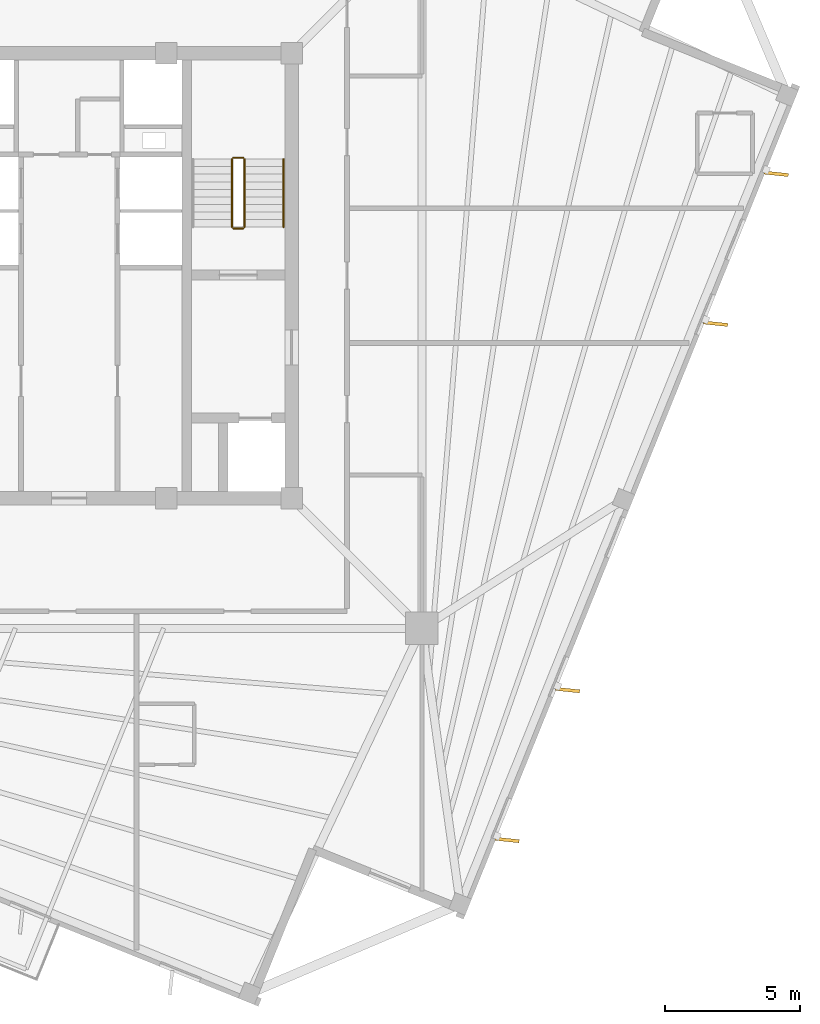
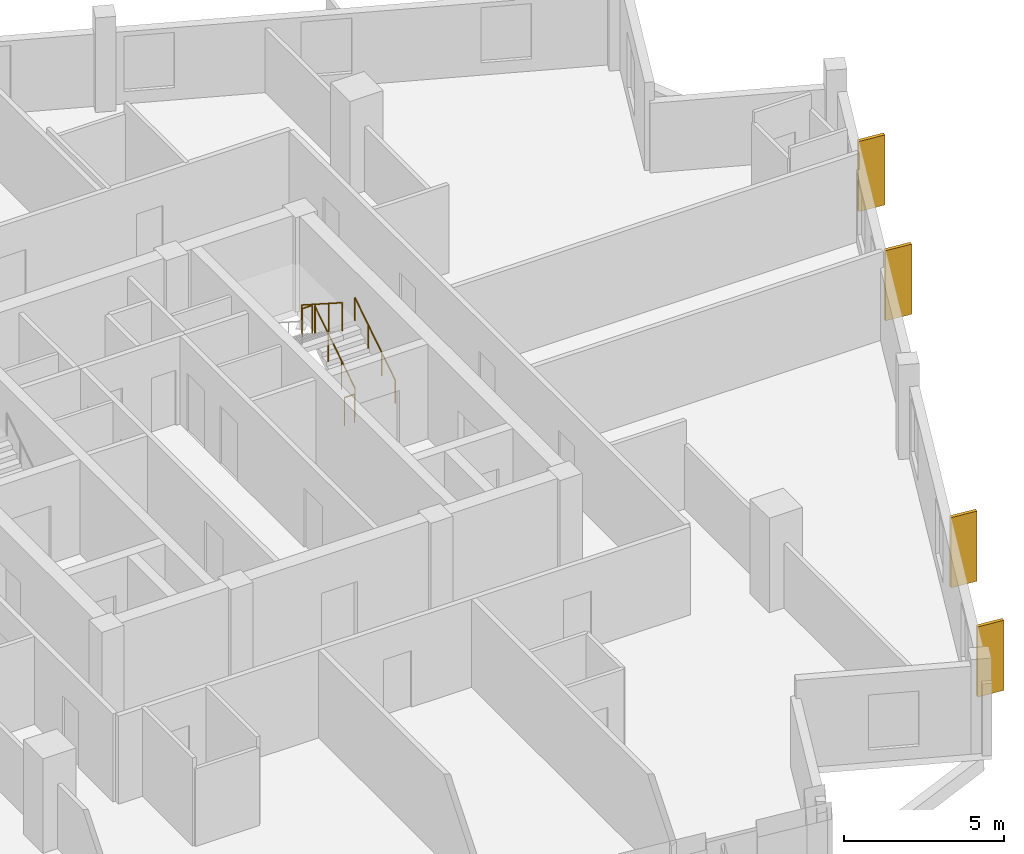
# One storey, part 7 of 8: 5 railings, 4 coverings.
"""IFC4 building model written with IfcOpenShell, lengths in metres."""

import ifcopenshell
import ifcopenshell.guid

model = None  # the IFC model being written
_history = None  # IfcOwnerHistory: only IFC2X3 demands one
_inside = {}  # id of a spatial element -> (the spatial element, [elements in it])
_under = {}  # id of a project, library or spatial element -> (it, [spatial elements below it])
_declared = {}  # id of a project -> (the project, [libraries it declares])
_typed = {}  # id of a type object -> (the type object, [elements of that type])
_made_of = {}  # id of a material, layer set ... -> (it, [elements and type objects made of it])


def new_model(schema):
    """Start an empty IFC model of exactly this schema.

    Asked for "IFC4X3", IfcOpenShell would pick the latest addendum, in which some entities
    have other attributes; the version numbers below select the first issue.
    IFC2X3 requires an IfcOwnerHistory on every rooted entity: one is made here for all.
    """
    global model, _history
    if schema == "IFC4X3":
        model = ifcopenshell.file(schema_version=(4, 3, 0, 0))
    else:
        model = ifcopenshell.file(schema=schema)
    _inside.clear()
    _under.clear()
    _declared.clear()
    _typed.clear()
    _made_of.clear()
    _history = None
    if model.schema == "IFC2X3":
        org = make("IfcOrganization", Name="unknown")
        user = make(
            "IfcPersonAndOrganization",
            ThePerson=make("IfcPerson", FamilyName="unknown"),
            TheOrganization=org,
        )
        app = make(
            "IfcApplication",
            ApplicationDeveloper=org,
            Version="unknown",
            ApplicationFullName="unknown",
            ApplicationIdentifier="unknown",
        )
        _history = make(
            "IfcOwnerHistory",
            OwningUser=user,
            OwningApplication=app,
            ChangeAction="ADDED",
            CreationDate=0,
        )
    return model


def make(cls, **values):
    """One entity of the class cls with the attributes given. An attribute that is None is left unset."""
    return model.create_entity(
        cls, **{name: value for name, value in values.items() if value is not None}
    )


def rooted(cls, **values):
    """An entity with a GlobalId (a new one), such as an element, a storey or a relation."""
    return make(cls, GlobalId=ifcopenshell.guid.new(), OwnerHistory=_history, **values)


def si_unit(unit_type, name, prefix=None):
    """IfcSIUnit, for example si_unit("LENGTHUNIT", "METRE", prefix="MILLI")."""
    return make("IfcSIUnit", UnitType=unit_type, Prefix=prefix, Name=name)


def assignment(units):
    """IfcUnitAssignment: the units of a project."""
    return None if units is None else make("IfcUnitAssignment", Units=units)


def point(xyz):
    """IfcCartesianPoint."""
    return None if xyz is None else make("IfcCartesianPoint", Coordinates=xyz)


def direction(xyz):
    """IfcDirection."""
    return None if xyz is None else make("IfcDirection", DirectionRatios=xyz)


def frame(location, z_axis=None, x_axis=None):
    """IfcAxis2Placement3D, a coordinate frame: its origin and axes. An axis left out is left unset."""
    return make(
        "IfcAxis2Placement3D",
        Location=point(location),
        Axis=direction(z_axis),
        RefDirection=direction(x_axis),
    )


def frame_2d(location, x_axis=None):
    """IfcAxis2Placement2D, a coordinate frame in the plane: its origin and x axis."""
    return make(
        "IfcAxis2Placement2D", Location=point(location), RefDirection=direction(x_axis)
    )


def origin():
    """The frame at (0, 0, 0) with its axes left unset."""
    return frame((0.0, 0.0, 0.0))


def origin_2d():
    """The frame at (0, 0) in the plane with its x axis left unset."""
    return frame_2d((0.0, 0.0))


def place(relative_to, where):
    """IfcLocalPlacement: puts the frame where relative to a parent placement (None: the world)."""
    return make(
        "IfcLocalPlacement", PlacementRelTo=relative_to, RelativePlacement=where
    )


def context(
    kind, dimensions, precision=None, world=None, true_north=None, identifier=None
):
    """IfcGeometricRepresentationContext, for example the 3D "Model" context."""
    return make(
        "IfcGeometricRepresentationContext",
        ContextIdentifier=identifier,
        ContextType=kind,
        CoordinateSpaceDimension=dimensions,
        Precision=precision,
        WorldCoordinateSystem=world,
        TrueNorth=true_north,
    )


def subcontext(parent, identifier, kind, view, scale=None):
    """IfcGeometricRepresentationSubContext, for example "Body" below "Model"."""
    return make(
        "IfcGeometricRepresentationSubContext",
        ContextIdentifier=identifier,
        ContextType=kind,
        ParentContext=parent,
        TargetScale=scale,
        TargetView=view,
    )


def project(units=None, contexts=None):
    """IfcProject with its units and contexts."""
    return rooted(
        "IfcProject",
        Name="project",
        RepresentationContexts=contexts,
        UnitsInContext=assignment(units),
    )


def spatial(cls, under=None, at=None, **own):
    """A site, building, storey or space (cls), placed at a placement, below another one or the project."""
    s = rooted(cls, ObjectPlacement=at, **own)
    if under is not None:
        _under.setdefault(under.id(), (under, []))[1].append(s)
    return s


def profile(cls, at=None, kind="AREA", **sizes):
    """A parametric profile (cls). Its sizes go by their IFC names, for example OverallWidth=200.0."""
    return make(cls, ProfileType=kind, Position=at, **sizes)


def rectangle(**sizes):
    """IfcRectangleProfileDef."""
    return profile("IfcRectangleProfileDef", **sizes)


def circle(**sizes):
    """IfcCircleProfileDef."""
    return profile("IfcCircleProfileDef", **sizes)


def extrude(swept, where, along, depth):
    """IfcExtrudedAreaSolid: the profile swept, set in the frame where, extruded along a direction by depth."""
    return make(
        "IfcExtrudedAreaSolid",
        SweptArea=swept,
        Position=where,
        ExtrudedDirection=direction(along),
        Depth=depth,
    )


def shape(context_of_items, identifier, shape_type, items):
    """IfcShapeRepresentation: the items that make up one representation, for example the "Body"."""
    return make(
        "IfcShapeRepresentation",
        ContextOfItems=context_of_items,
        RepresentationIdentifier=identifier,
        RepresentationType=shape_type,
        Items=items,
    )


def source(mapping_origin, context_of_items, identifier, shape_type, items):
    """IfcRepresentationMap: a shape defined once, which mapped items show again and again."""
    return make(
        "IfcRepresentationMap",
        MappingOrigin=mapping_origin,
        MappedRepresentation=shape(context_of_items, identifier, shape_type, items),
    )


def transform(
    local_origin,
    x_axis=None,
    y_axis=None,
    z_axis=None,
    scale=None,
    scale2=None,
    scale3=None,
    uniform=True,
):
    """IfcCartesianTransformationOperator3D, or its non-uniform kind. x_axis, y_axis, z_axis: its Axis1, 2, 3."""
    if uniform:
        return make(
            "IfcCartesianTransformationOperator3D",
            Axis1=direction(x_axis),
            Axis2=direction(y_axis),
            LocalOrigin=point(local_origin),
            Scale=scale,
            Axis3=direction(z_axis),
        )
    return make(
        "IfcCartesianTransformationOperator3DnonUniform",
        Axis1=direction(x_axis),
        Axis2=direction(y_axis),
        LocalOrigin=point(local_origin),
        Scale=scale,
        Axis3=direction(z_axis),
        Scale2=scale2,
        Scale3=scale3,
    )


def mapped(mapping_source, mapping_target):
    """IfcMappedItem: shows the shape of a source again, moved by a transform."""
    return make(
        "IfcMappedItem", MappingSource=mapping_source, MappingTarget=mapping_target
    )


def material(Name=None, Category=None):
    """IfcMaterial."""
    return make("IfcMaterial", Name=Name, Category=Category)


def layer(
    of_material, thickness, ventilated=None, Name=None, Category=None, Priority=None
):
    """IfcMaterialLayer: one layer of a wall or slab, of a material (None: an air gap)."""
    return make(
        "IfcMaterialLayer",
        Material=of_material,
        LayerThickness=thickness,
        IsVentilated=ventilated,
        Name=Name,
        Category=Category,
        Priority=Priority,
    )


def layer_set(layers, Name=None):
    """IfcMaterialLayerSet."""
    return make("IfcMaterialLayerSet", MaterialLayers=layers, LayerSetName=Name)


def made_of(thing, what):
    """Note that an element or type object is made of a material, layer set ...; save() writes the relation."""
    if what is not None:
        _made_of.setdefault(what.id(), (what, []))[1].append(thing)
    return thing


def type_object(cls, material=None, **own):
    """A type object (cls), such as IfcWallType, which elements share."""
    return made_of(rooted(cls, **own), material)


def element(
    cls,
    number,
    at=None,
    inside=None,
    cuts=None,
    type_object=None,
    material=None,
    context=None,
    identifier="Body",
    shape_type=None,
    held_by="IfcProductDefinitionShape",
    body=None,
    shapes=None,
    **own,
):
    """One element of the class cls, such as IfcWall. Its Tag is "e" and its number.

    at: its placement. inside: the storey or other place that contains it. cuts: it is an
    opening in that element (IfcRelVoidsElement). A single representation is given by context,
    identifier, shape_type and body (its items); several are given by shapes. held_by: the class
    of the entity that holds the representations. save() writes the other relations.
    """
    e = rooted(cls, Tag="e%d" % number, ObjectPlacement=at, **own)
    if body is not None:
        shapes = [shape(context, identifier, shape_type, body)]
    if shapes is not None:
        e.Representation = make(held_by, Representations=shapes)
    if inside is not None:
        _inside.setdefault(inside.id(), (inside, []))[1].append(e)
    if cuts is not None:
        rooted(
            "IfcRelVoidsElement", RelatingBuildingElement=cuts, RelatedOpeningElement=e
        )
    if type_object is not None:
        _typed.setdefault(type_object.id(), (type_object, []))[1].append(e)
    return made_of(e, material)


def aggregate(whole, parts):
    """IfcRelAggregates: a whole, such as a stair, and the parts it consists of."""
    return rooted("IfcRelAggregates", RelatingObject=whole, RelatedObjects=parts)


def save(model, path):
    """Write the relations noted so far, then the file.

    IfcRelAggregates (storeys below a building ...), IfcRelContainedInSpatialStructure (elements
    in a storey), IfcRelDefinesByType, IfcRelAssociatesMaterial and IfcRelDeclares: one each for
    every whole, place, type object, material and project.
    """
    for whole, parts in _under.values():
        aggregate(whole, parts)
    for where, things in _inside.values():
        rooted(
            "IfcRelContainedInSpatialStructure",
            RelatedElements=things,
            RelatingStructure=where,
        )
    for kind, things in _typed.values():
        rooted("IfcRelDefinesByType", RelatedObjects=things, RelatingType=kind)
    for what, things in _made_of.values():
        rooted("IfcRelAssociatesMaterial", RelatedObjects=things, RelatingMaterial=what)
    for by, libraries in _declared.values():
        rooted("IfcRelDeclares", RelatingContext=by, RelatedDefinitions=libraries)
    model.write(path)


model = new_model("IFC4")

# Units and contexts
model_context = context("Model", 3, precision=1e-05, world=origin(), true_north=direction((0.0, 1.0)))
body_context = subcontext(model_context, "Body", "Model", "MODEL_VIEW")
ifc_project = project(units=[si_unit("LENGTHUNIT", "METRE"), si_unit("AREAUNIT", "SQUARE_METRE"), si_unit("VOLUMEUNIT", "CUBIC_METRE"), si_unit("PLANEANGLEUNIT", "RADIAN"), si_unit("MASSUNIT", "GRAM", prefix="KILO"), si_unit("THERMODYNAMICTEMPERATUREUNIT", "KELVIN")], contexts=[model_context])

# Site, building, storey
site_placement = place(None, origin())
site = spatial("IfcSite", under=ifc_project, at=site_placement, CompositionType="ELEMENT")
building_placement = place(site_placement, origin())
building = spatial("IfcBuilding", under=site, at=building_placement, Name="Kosmvard Interchange Tower", CompositionType="ELEMENT")
storey_placement = place(building_placement, frame((0.0, 0.0, 308.39990234375)))
storey = spatial("IfcBuildingStorey", under=building, at=storey_placement, Name="L76", CompositionType="ELEMENT", Elevation=308.39990234375)

# Coverings
ifc_material_1 = material(Name="Architectural anodised aluminium", Category="aluminium")
ifc_layer = layer(ifc_material_1, 0.1201171875, Name="Architectural anodised aluminium")
ifc_layer_set = layer_set([ifc_layer], Name="Architectural anodised aluminium")
covering_type = type_object("IfcCoveringType", Name="Rotating Vertical Sun-Breaker Fin 900x120 Aluminium", PredefinedType="CLADDING", material=ifc_layer_set)
shared_shape_1 = source(origin(), body_context, "Body", "SweptSolid", [
    extrude(rectangle(XDim=0.89990234375, YDim=0.1201171875, at=origin_2d()), origin(), (0.0, 0.0, 1.0), 2.669921875),
])
for number, where, z_axis, x_axis, name in (
    (1, (16.2412109375, -20.932373046875, 0.0400390625), (0.0, 0.0, 1.0), (0.994521895368, -0.104528463268, 0.0), "L76 Rotating Vertical Sun-Breaker Fin 01"),
    (2, (18.4873046875, -15.373046875, 0.0400390625), (0.0, 0.0, 1.0), (0.994521895368, -0.104528463268, 0.0), "L76 Rotating Vertical Sun-Breaker Fin 02"),
    (3, (23.977783203125, -1.783935546875, 0.0400390625), (0.0, 0.0, 1.0), (0.994521895368, -0.104528463268, 0.0), "L76 Rotating Vertical Sun-Breaker Fin 03"),
    (4, (26.223876953125, 3.775390625, 0.0400390625), (0.0, 0.0, 1.0), (0.994521895368, -0.104528463268, 0.0), "L76 Rotating Vertical Sun-Breaker Fin 04"),
):
    element("IfcCovering", number, at=place(storey_placement, frame(where, z_axis=z_axis, x_axis=x_axis)), inside=storey, type_object=covering_type, Name=name, PredefinedType="CLADDING", context=body_context, shape_type="MappedRepresentation", body=[
        mapped(shared_shape_1, transform((0.0, 0.0, 0.0), scale=1.0)),
    ])

# Railings
ifc_material_2 = material(Name="Steel S355", Category="steel")
railing_type_1 = type_object("IfcRailingType", Name="Stair & Terrace Safety Guardrail 1100 Steel", PredefinedType="GUARDRAIL", material=ifc_material_2)
shared_shape_2 = source(origin(), body_context, "Body", "SweptSolid", [
    extrude(circle(Radius=0.02392578125, at=origin_2d()), frame((0.0, 0.0, 1.076171875), z_axis=(-1.0, 0.0, 0.0), x_axis=(0.0, -1.0, 0.0)), (0.0, 0.0, 1.0), 0.35986328125),
    extrude(circle(Radius=0.02099609375, at=origin_2d()), origin(), (0.0, 0.0, 1.0), 1.052001953125),
    extrude(circle(Radius=0.02099609375, at=origin_2d()), frame((-0.35986328125, 0.0, 0.0)), (0.0, 0.0, 1.0), 1.052001953125),
])
for number, where, name in (
    (5, (6.449951171875, 4.3701171875, 1.800048828125), "L76 ST-2 stair guard 2"),
    (6, (6.449951171875, 1.75, 0.0), "L76 ST-2 stair guard 4"),
):
    element("IfcRailing", number, at=place(storey_placement, frame(where)), inside=storey, type_object=railing_type_1, Name=name, PredefinedType="GUARDRAIL", context=body_context, shape_type="MappedRepresentation", body=[
        mapped(shared_shape_2, transform((0.0, 0.0, 0.0), scale=1.0)),
    ])
shared_shape_3 = source(origin(), body_context, "Body", "SweptSolid", [
    extrude(circle(Radius=0.02392578125, at=origin_2d()), frame((0.0, 0.0, 1.076171875), z_axis=(0.0, -0.841162588446, 0.540782303519), x_axis=(1.0, 0.0, 0.0)), (0.0, 0.0, 1.0), 2.995849609375),
    extrude(circle(Radius=0.02099609375, at=origin_2d()), origin(), (0.0, 0.0, 1.0), 1.052001953125),
    extrude(circle(Radius=0.02099609375, at=origin_2d()), frame((0.0, -0.840087890625, 0.5400390625)), (0.0, 0.0, 1.0), 1.052001953125),
    extrude(circle(Radius=0.02099609375, at=origin_2d()), frame((0.0, -1.679931640625, 1.080078125)), (0.0, 0.0, 1.0), 1.052001953125),
    extrude(circle(Radius=0.02099609375, at=origin_2d()), frame((0.0, -2.52001953125, 1.6201171875)), (0.0, 0.0, 1.0), 1.052001953125),
])
railing_1_placement = place(storey_placement, frame((6.0400390625, 4.320068359375, 1.97998046875)))
element("IfcRailing", 7, at=railing_1_placement, inside=storey, type_object=railing_type_1, Name="L76 ST-2 stair guard 3", PredefinedType="GUARDRAIL", context=body_context, shape_type="MappedRepresentation", body=[
    mapped(shared_shape_3, transform((0.0, 0.0, 0.0), scale=1.0)),
])
shared_shape_4 = source(origin(), body_context, "Body", "SweptSolid", [
    extrude(circle(Radius=0.02392578125, at=origin_2d()), frame((0.0, 0.0, 1.076171875), z_axis=(0.0, 0.841199657755, 0.540724639528), x_axis=(-1.0, 0.0, 0.0)), (0.0, 0.0, 1.0), 2.995849609375),
    extrude(circle(Radius=0.02099609375, at=origin_2d()), origin(), (0.0, 0.0, 1.0), 1.052001953125),
    extrude(circle(Radius=0.02099609375, at=origin_2d()), frame((0.0, 0.840087890625, 0.5400390625)), (0.0, 0.0, 1.0), 1.052001953125),
    extrude(circle(Radius=0.02099609375, at=origin_2d()), frame((0.0, 1.679931640625, 1.079833984375)), (0.0, 0.0, 1.0), 1.052001953125),
    extrude(circle(Radius=0.02099609375, at=origin_2d()), frame((0.0, 2.52001953125, 1.619873046875)), (0.0, 0.0, 1.0), 1.052001953125),
])
railing_2_placement = place(storey_placement, frame((6.5, 1.800048828125, 0.18017578125)))
element("IfcRailing", 8, at=railing_2_placement, inside=storey, type_object=railing_type_1, Name="L76 ST-2 stair guard 1", PredefinedType="GUARDRAIL", context=body_context, shape_type="MappedRepresentation", body=[
    mapped(shared_shape_4, transform((0.0, 0.0, 0.0), scale=1.0)),
])
railing_type_2 = type_object("IfcRailingType", Name="Wall-Mounted Stair Handrail 900 Steel", PredefinedType="HANDRAIL", material=ifc_material_2)
shared_shape_5 = source(origin(), body_context, "Body", "SweptSolid", [
    extrude(circle(Radius=0.02392578125, at=origin_2d()), frame((0.0, 0.0, 0.8759765625), z_axis=(0.0, 0.841199657755, 0.540724639528), x_axis=(-1.0, 0.0, 0.0)), (0.0, 0.0, 1.0), 2.995849609375),
    extrude(circle(Radius=0.02099609375, at=origin_2d()), origin(), (0.0, 0.0, 1.0), 0.851806640625),
    extrude(circle(Radius=0.02099609375, at=origin_2d()), frame((0.0, 0.840087890625, 0.5400390625)), (0.0, 0.0, 1.0), 0.851806640625),
    extrude(circle(Radius=0.02099609375, at=origin_2d()), frame((0.0, 1.679931640625, 1.079833984375)), (0.0, 0.0, 1.0), 0.851806640625),
    extrude(circle(Radius=0.02099609375, at=origin_2d()), frame((0.0, 2.52001953125, 1.619873046875)), (0.0, 0.0, 1.0), 0.851806640625),
])
railing_3_placement = place(storey_placement, frame((7.949951171875, 1.800048828125, 0.18017578125)))
element("IfcRailing", 9, at=railing_3_placement, inside=storey, type_object=railing_type_2, Name="L76 ST-2 stair handrail 1", PredefinedType="HANDRAIL", context=body_context, shape_type="MappedRepresentation", body=[
    mapped(shared_shape_5, transform((0.0, 0.0, 0.0), scale=1.0)),
])

save(model, "model.ifc")
